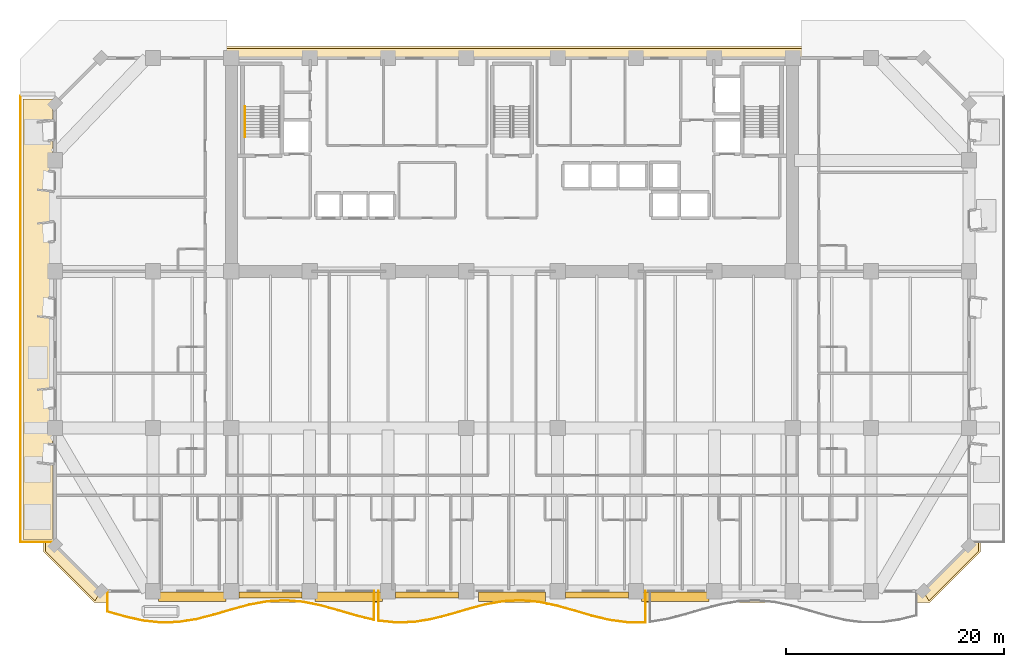
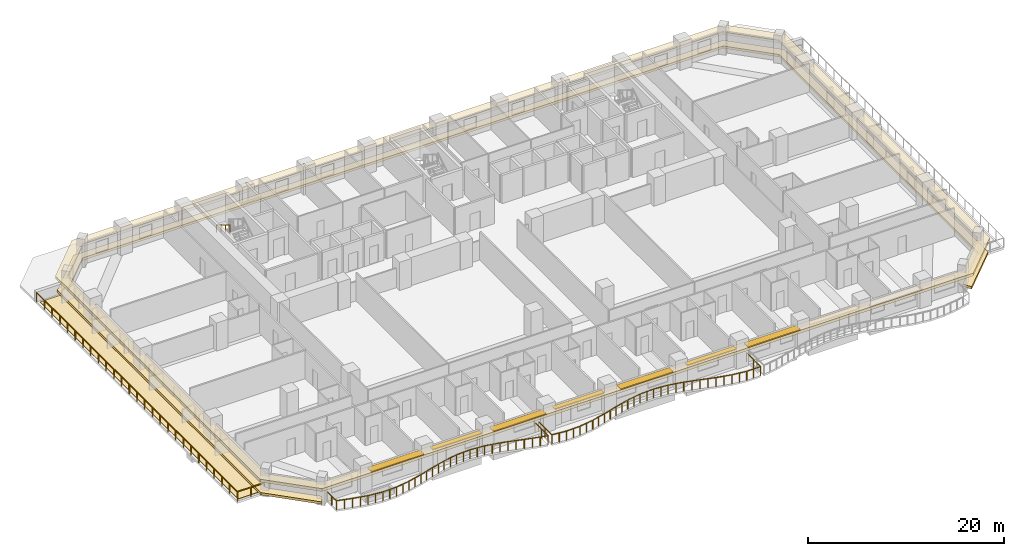
# One storey, part 14 of 17: 7 shading devices, 4 railings, 3 coverings.
"""IFC4 building model written with IfcOpenShell, lengths in metres."""

from ifc_helpers import new_model, si_unit, direction, frame, origin, origin_2d, place, context, subcontext, project, spatial, polyline, rectangle, outline, extrude, material, layer, layer_set, type_object, element, save


model = new_model("IFC4")

# Units and contexts
model_context = context("Model", 3, precision=1e-05, world=origin(), true_north=direction((0.0, 1.0)))
body_context = subcontext(model_context, "Body", "Model", "MODEL_VIEW")
ifc_project = project(units=[si_unit("LENGTHUNIT", "METRE"), si_unit("AREAUNIT", "SQUARE_METRE"), si_unit("VOLUMEUNIT", "CUBIC_METRE"), si_unit("PLANEANGLEUNIT", "RADIAN"), si_unit("MASSUNIT", "GRAM", prefix="KILO")], contexts=[model_context])

# Site, building, storey
site_placement = place(None, origin())
site = spatial("IfcSite", under=ifc_project, at=site_placement, CompositionType="ELEMENT")
building_placement = place(site_placement, origin())
building = spatial("IfcBuilding", under=site, at=building_placement, Name="Kaelvorn Grand Hotel", CompositionType="ELEMENT")
storey_placement = place(building_placement, frame((0.0, 0.0, 31.39990234375)))
storey = spatial("IfcBuildingStorey", under=building, at=storey_placement, Name="L05", CompositionType="ELEMENT", Elevation=31.39990234375)

# Coverings
ifc_material_1 = material(Name="Precast concrete C45/55", Category="concrete")
ifc_layer_1 = layer(ifc_material_1, 0.260009765625)
ifc_layer_set_1 = layer_set([ifc_layer_1], Name="Precast concrete C45/55")
covering_type_1 = type_object("IfcCoveringType", Name="COV-BAND-STREAMLINE-HEAD", PredefinedType="CLADDING", material=ifc_layer_set_1)
covering_1_placement = place(storey_placement, frame((0.0, 0.0, 2.18017578125)))
element("IfcCovering", 1, at=covering_1_placement, inside=storey, type_object=covering_type_1, Name="L05 Streamline Moderne Wraparound Horizontal Eyebrow Band", PredefinedType="CLADDING", context=body_context, shape_type="SweptSolid", body=[
    extrude(outline(polyline([(3.590087890625, -1.050048828125), (80.409912109375, -1.050048828125), (85.050048828125, 3.590087890625), (85.050048828125, 45.409912109375), (80.409912109375, 50.050048828125), (3.590087890625, 50.050048828125), (-1.050048828125, 45.409912109375), (-1.050048828125, 3.590087890625), (3.590087890625, -1.050048828125)]), holes=[polyline([(4.219970703125, 0.030029296875), (79.780029296875, 0.030029296875), (83.969970703125, 4.219970703125), (83.969970703125, 44.780029296875), (79.780029296875, 48.969970703125), (4.219970703125, 48.969970703125), (0.030029296875, 44.780029296875), (0.030029296875, 4.219970703125), (4.219970703125, 0.030029296875)])]), origin(), (0.0, 0.0, 1.0), 0.35986328125),
])
ifc_layer_2 = layer(ifc_material_1, 0.219970703125)
ifc_layer_set_2 = layer_set([ifc_layer_2], Name="Precast concrete C45/55")
covering_type_2 = type_object("IfcCoveringType", Name="COV-BAND-STREAMLINE-SILL", PredefinedType="CLADDING", material=ifc_layer_set_2)
covering_2_placement = place(storey_placement, frame((0.0, 0.0, 0.4501953125)))
element("IfcCovering", 2, at=covering_2_placement, inside=storey, type_object=covering_type_2, Name="L05 Streamline Moderne Wraparound Horizontal Sill Spandrel Band", PredefinedType="CLADDING", context=body_context, shape_type="SweptSolid", body=[
    extrude(outline(polyline([(80.3154296875, -0.8798828125), (84.8798828125, 3.6845703125), (84.8798828125, 45.3154296875), (80.3154296875, 49.8798828125), (3.6845703125, 49.8798828125), (-0.8798828125, 45.3154296875), (-0.8798828125, 3.6845703125), (3.6845703125, -0.8798828125), (4.217529296875, 0.030029296875), (0.030029296875, 4.217529296875), (0.030029296875, 44.782470703125), (4.217529296875, 48.969970703125), (79.782470703125, 48.969970703125), (83.969970703125, 44.782470703125), (83.969970703125, 4.217529296875), (79.782470703125, 0.030029296875), (80.3154296875, -0.8798828125)])), origin(), (0.0, 0.0, 1.0), 0.2998046875),
])
ifc_material_2 = material(Name="Insulated Elastomeric Waterproofing Roof Membrane")
ifc_layer_3 = layer(ifc_material_2, 0.1201171875)
ifc_layer_set_3 = layer_set([ifc_layer_3], Name="Insulated Elastomeric Waterproofing Roof Membrane")
covering_type_3 = type_object("IfcCoveringType", Name="COV-ROOF-MEMBRANE-120", PredefinedType="ROOFING", material=ifc_layer_set_3)
covering_3_placement = place(storey_placement, origin())
element("IfcCovering", 3, at=covering_3_placement, inside=storey, type_object=covering_type_3, Name="L05 Setback Terrace Waterproofing Membrane W", PredefinedType="ROOFING", context=body_context, shape_type="SweptSolid", body=[
    extrude(outline(polyline([(-2.949951171875, 4.75), (-0.25, 4.75), (-0.25, 45.25), (-2.949951171875, 45.25), (-2.949951171875, 4.75)])), origin(), (0.0, 0.0, 1.0), 0.06005859375),
])

# Railings
ifc_material_3 = material(Name="Stainless Steel", Category="steel")
railing_type_1 = type_object("IfcRailingType", Name="RL-BALC-1150", PredefinedType="BALUSTRADE", material=ifc_material_3)
railing_1_placement = place(storey_placement, frame((4.800048828125, 0.0, 0.0)))
element("IfcRailing", 4, at=railing_1_placement, inside=storey, type_object=railing_type_1, Name="L05 Scalloped Wave Balcony Balustrade GR1-1", PredefinedType="BALUSTRADE", context=body_context, shape_type="SweptSolid", body=[
    extrude(rectangle(XDim=0.048095703125, YDim=0.048095703125, at=origin_2d()), frame((0.0, 0.0, 1.1259765625), z_axis=(0.0, -1.0, 0.0), x_axis=(1.0, 0.0, 0.0)), (0.0, 0.0, 1.0), 1.875),
    extrude(rectangle(XDim=0.048095703125, YDim=0.048095703125, at=origin_2d()), frame((0.0, -1.875, 1.1259765625), z_axis=(0.961182099659, -0.275914789916, 0.0), x_axis=(0.275914789916, 0.961182099659, 0.0)), (0.0, 0.0, 1.0), 1.70166015625),
    extrude(rectangle(XDim=0.048095703125, YDim=0.048095703125, at=origin_2d()), frame((1.635498046875, -2.344482421875, 1.1259765625), z_axis=(0.975960285226, -0.21794843808, 0.0), x_axis=(0.21794843808, 0.975960285226, 0.0)), (0.0, 0.0, 1.0), 1.67578125),
    extrude(rectangle(XDim=0.048095703125, YDim=0.048095703125, at=origin_2d()), frame((3.27099609375, -2.709716796875, 1.1259765625), z_axis=(0.994020469758, -0.109193890409, 0.0), x_axis=(0.109193890409, 0.994020469758, 0.0)), (0.0, 0.0, 1.0), 1.6455078125),
    extrude(rectangle(XDim=0.048095703125, YDim=0.048095703125, at=origin_2d()), frame((4.90673828125, -2.889404296875, 1.1259765625), z_axis=(0.999614765722, 0.02775464195, 0.0), x_axis=(-0.02775464195, 0.999614765722, 0.0)), (0.0, 0.0, 1.0), 1.63623046875),
    extrude(rectangle(XDim=0.048095703125, YDim=0.048095703125, at=origin_2d()), frame((6.542236328125, -2.843994140625, 1.1259765625), z_axis=(0.987528788289, 0.157438534989, 0.0), x_axis=(-0.157438534989, 0.987528788289, 0.0)), (0.0, 0.0, 1.0), 1.65625),
    extrude(rectangle(XDim=0.048095703125, YDim=0.048095703125, at=origin_2d()), frame((8.177734375, -2.583251953125, 1.1259765625), z_axis=(0.968861629416, 0.247602792888, 0.0), x_axis=(-0.247602792888, 0.968861629416, 0.0)), (0.0, 0.0, 1.0), 1.68798828125),
    extrude(rectangle(XDim=0.048095703125, YDim=0.048095703125, at=origin_2d()), frame((9.813232421875, -2.165283203125, 1.1259765625), z_axis=(0.959105197492, 0.283049854522, 0.0), x_axis=(-0.283049854522, 0.959105197492, 0.0)), (0.0, 0.0, 1.0), 1.705322265625),
    extrude(rectangle(XDim=0.048095703125, YDim=0.048095703125, at=origin_2d()), frame((11.44873046875, -1.6826171875, 1.1259765625), z_axis=(0.965718666242, 0.25959094297, 0.0), x_axis=(-0.25959094297, 0.965718666242, 0.0)), (0.0, 0.0, 1.0), 1.69384765625),
    extrude(rectangle(XDim=0.048095703125, YDim=0.048095703125, at=origin_2d()), frame((13.08447265625, -1.242919921875, 1.1259765625), z_axis=(0.983662506195, 0.180022426122, 0.0), x_axis=(-0.180022426122, 0.983662506195, 0.0)), (0.0, 0.0, 1.0), 1.66259765625),
    extrude(rectangle(XDim=0.048095703125, YDim=0.048095703125, at=origin_2d()), frame((14.719970703125, -0.943603515625, 1.1259765625), z_axis=(0.998403431973, 0.056485281492, 0.0), x_axis=(-0.056485281492, 0.998403431973, 0.0)), (0.0, 0.0, 1.0), 1.63818359375),
    extrude(rectangle(XDim=0.048095703125, YDim=0.048095703125, at=origin_2d()), frame((16.35546875, -0.85107421875, 1.1259765625), z_axis=(0.996610094372, -0.082269798804, 0.0), x_axis=(0.082269798804, 0.996610094372, 0.0)), (0.0, 0.0, 1.0), 1.64111328125),
    extrude(rectangle(XDim=0.048095703125, YDim=0.048095703125, at=origin_2d()), frame((17.990966796875, -0.986083984375, 1.1259765625), z_axis=(0.979985536223, -0.199068703701, 0.0), x_axis=(0.199068703701, 0.979985536223, 0.0)), (0.0, 0.0, 1.0), 1.669189453125),
    extrude(rectangle(XDim=0.048095703125, YDim=0.048095703125, at=origin_2d()), frame((19.626708984375, -1.318359375, 1.1259765625), z_axis=(0.963251690304, -0.268600411627, 0.0), x_axis=(0.268600411627, 0.963251690304, 0.0)), (0.0, 0.0, 1.0), 1.697998046875),
    extrude(rectangle(XDim=0.048095703125, YDim=0.048095703125, at=origin_2d()), frame((21.26220703125, -1.7744140625, 1.1259765625), z_axis=(0.959763780104, -0.280808629498, 0.0), x_axis=(0.280808629498, 0.959763780104, 0.0)), (0.0, 0.0, 1.0), 1.7041015625),
    extrude(rectangle(XDim=0.048095703125, YDim=0.048095703125, at=origin_2d()), frame((22.897705078125, -2.2529296875, 1.1259765625), z_axis=(0.972148369978, -0.234366266236, 0.0), x_axis=(0.234366266236, 0.972148369978, 0.0)), (0.0, 0.0, 1.0), 1.682373046875),
    extrude(rectangle(XDim=0.048095703125, YDim=0.048095703125, at=origin_2d()), frame((24.533203125, -2.647216796875, 1.1259765625), z_axis=(0.0, 1.0, 0.0), x_axis=(-1.0, 0.0, 0.0)), (0.0, 0.0, 1.0), 2.647216796875),
    extrude(rectangle(XDim=0.0419921875, YDim=0.0419921875, at=origin_2d()), origin(), (0.0, 0.0, 1.0), 1.101806640625),
    extrude(rectangle(XDim=0.0419921875, YDim=0.0419921875, at=origin_2d()), frame((0.0, -0.9375, 0.0)), (0.0, 0.0, 1.0), 1.101806640625),
    extrude(rectangle(XDim=0.0419921875, YDim=0.0419921875, at=origin_2d()), frame((0.0, -1.875, 0.0)), (0.0, 0.0, 1.0), 1.101806640625),
    extrude(rectangle(XDim=0.0419921875, YDim=0.0419921875, at=origin_2d()), frame((0.81787109375, -2.10986328125, 0.0)), (0.0, 0.0, 1.0), 1.101806640625),
    extrude(rectangle(XDim=0.0419921875, YDim=0.0419921875, at=origin_2d()), frame((1.635498046875, -2.344482421875, 0.0)), (0.0, 0.0, 1.0), 1.101806640625),
    extrude(rectangle(XDim=0.0419921875, YDim=0.0419921875, at=origin_2d()), frame((2.453125, -2.527099609375, 0.0)), (0.0, 0.0, 1.0), 1.101806640625),
    extrude(rectangle(XDim=0.0419921875, YDim=0.0419921875, at=origin_2d()), frame((3.27099609375, -2.709716796875, 0.0)), (0.0, 0.0, 1.0), 1.101806640625),
    extrude(rectangle(XDim=0.0419921875, YDim=0.0419921875, at=origin_2d()), frame((4.0888671875, -2.799560546875, 0.0)), (0.0, 0.0, 1.0), 1.101806640625),
    extrude(rectangle(XDim=0.0419921875, YDim=0.0419921875, at=origin_2d()), frame((4.90673828125, -2.889404296875, 0.0)), (0.0, 0.0, 1.0), 1.101806640625),
    extrude(rectangle(XDim=0.0419921875, YDim=0.0419921875, at=origin_2d()), frame((5.724609375, -2.86669921875, 0.0)), (0.0, 0.0, 1.0), 1.101806640625),
    extrude(rectangle(XDim=0.0419921875, YDim=0.0419921875, at=origin_2d()), frame((6.542236328125, -2.843994140625, 0.0)), (0.0, 0.0, 1.0), 1.101806640625),
    extrude(rectangle(XDim=0.0419921875, YDim=0.0419921875, at=origin_2d()), frame((7.35986328125, -2.713623046875, 0.0)), (0.0, 0.0, 1.0), 1.101806640625),
    extrude(rectangle(XDim=0.0419921875, YDim=0.0419921875, at=origin_2d()), frame((8.177734375, -2.583251953125, 0.0)), (0.0, 0.0, 1.0), 1.101806640625),
    extrude(rectangle(XDim=0.0419921875, YDim=0.0419921875, at=origin_2d()), frame((8.99560546875, -2.374267578125, 0.0)), (0.0, 0.0, 1.0), 1.101806640625),
    extrude(rectangle(XDim=0.0419921875, YDim=0.0419921875, at=origin_2d()), frame((9.813232421875, -2.165283203125, 0.0)), (0.0, 0.0, 1.0), 1.101806640625),
    extrude(rectangle(XDim=0.0419921875, YDim=0.0419921875, at=origin_2d()), frame((10.630859375, -1.923828125, 0.0)), (0.0, 0.0, 1.0), 1.101806640625),
    extrude(rectangle(XDim=0.0419921875, YDim=0.0419921875, at=origin_2d()), frame((11.44873046875, -1.6826171875, 0.0)), (0.0, 0.0, 1.0), 1.101806640625),
    extrude(rectangle(XDim=0.0419921875, YDim=0.0419921875, at=origin_2d()), frame((12.2666015625, -1.462890625, 0.0)), (0.0, 0.0, 1.0), 1.101806640625),
    extrude(rectangle(XDim=0.0419921875, YDim=0.0419921875, at=origin_2d()), frame((13.08447265625, -1.242919921875, 0.0)), (0.0, 0.0, 1.0), 1.101806640625),
    extrude(rectangle(XDim=0.0419921875, YDim=0.0419921875, at=origin_2d()), frame((13.90234375, -1.09326171875, 0.0)), (0.0, 0.0, 1.0), 1.101806640625),
    extrude(rectangle(XDim=0.0419921875, YDim=0.0419921875, at=origin_2d()), frame((14.719970703125, -0.943603515625, 0.0)), (0.0, 0.0, 1.0), 1.101806640625),
    extrude(rectangle(XDim=0.0419921875, YDim=0.0419921875, at=origin_2d()), frame((15.53759765625, -0.8974609375, 0.0)), (0.0, 0.0, 1.0), 1.101806640625),
    extrude(rectangle(XDim=0.0419921875, YDim=0.0419921875, at=origin_2d()), frame((16.35546875, -0.85107421875, 0.0)), (0.0, 0.0, 1.0), 1.101806640625),
    extrude(rectangle(XDim=0.0419921875, YDim=0.0419921875, at=origin_2d()), frame((17.17333984375, -0.91845703125, 0.0)), (0.0, 0.0, 1.0), 1.101806640625),
    extrude(rectangle(XDim=0.0419921875, YDim=0.0419921875, at=origin_2d()), frame((17.990966796875, -0.986083984375, 0.0)), (0.0, 0.0, 1.0), 1.101806640625),
    extrude(rectangle(XDim=0.0419921875, YDim=0.0419921875, at=origin_2d()), frame((18.808837890625, -1.15234375, 0.0)), (0.0, 0.0, 1.0), 1.101806640625),
    extrude(rectangle(XDim=0.0419921875, YDim=0.0419921875, at=origin_2d()), frame((19.626708984375, -1.318359375, 0.0)), (0.0, 0.0, 1.0), 1.101806640625),
    extrude(rectangle(XDim=0.0419921875, YDim=0.0419921875, at=origin_2d()), frame((20.4443359375, -1.54638671875, 0.0)), (0.0, 0.0, 1.0), 1.101806640625),
    extrude(rectangle(XDim=0.0419921875, YDim=0.0419921875, at=origin_2d()), frame((21.26220703125, -1.7744140625, 0.0)), (0.0, 0.0, 1.0), 1.101806640625),
    extrude(rectangle(XDim=0.0419921875, YDim=0.0419921875, at=origin_2d()), frame((22.080078125, -2.013671875, 0.0)), (0.0, 0.0, 1.0), 1.101806640625),
    extrude(rectangle(XDim=0.0419921875, YDim=0.0419921875, at=origin_2d()), frame((22.897705078125, -2.2529296875, 0.0)), (0.0, 0.0, 1.0), 1.101806640625),
    extrude(rectangle(XDim=0.0419921875, YDim=0.0419921875, at=origin_2d()), frame((23.71533203125, -2.4501953125, 0.0)), (0.0, 0.0, 1.0), 1.101806640625),
    extrude(rectangle(XDim=0.0419921875, YDim=0.0419921875, at=origin_2d()), frame((24.533203125, -2.647216796875, 0.0)), (0.0, 0.0, 1.0), 1.101806640625),
    extrude(rectangle(XDim=0.0419921875, YDim=0.0419921875, at=origin_2d()), frame((24.533203125, -1.32373046875, 0.0)), (0.0, 0.0, 1.0), 1.101806640625),
    extrude(rectangle(XDim=0.0419921875, YDim=0.0419921875, at=origin_2d()), frame((24.533203125, 0.0, 0.0)), (0.0, 0.0, 1.0), 1.101806640625),
])
railing_2_placement = place(storey_placement, frame((29.7333984375, 0.0, 0.0)))
element("IfcRailing", 5, at=railing_2_placement, inside=storey, type_object=railing_type_1, Name="L05 Scalloped Wave Balcony Balustrade GR1-2", PredefinedType="BALUSTRADE", context=body_context, shape_type="SweptSolid", body=[
    extrude(rectangle(XDim=0.048095703125, YDim=0.048095703125, at=origin_2d()), frame((0.0, 0.0, 1.1259765625), z_axis=(0.0, -1.0, 0.0), x_axis=(1.0, 0.0, 0.0)), (0.0, 0.0, 1.0), 2.72021484375),
    extrude(rectangle(XDim=0.048095703125, YDim=0.048095703125, at=origin_2d()), frame((0.0, -2.72021484375, 1.1259765625), z_axis=(0.994538755279, -0.104367927297, 0.0), x_axis=(0.104367927297, 0.994538755279, 0.0)), (0.0, 0.0, 1.0), 1.64453125),
    extrude(rectangle(XDim=0.048095703125, YDim=0.048095703125, at=origin_2d()), frame((1.635498046875, -2.891845703125, 1.1259765625), z_axis=(0.999451346104, 0.033121092527, 0.0), x_axis=(-0.033121092527, 0.999451346104, 0.0)), (0.0, 0.0, 1.0), 1.636474609375),
    extrude(rectangle(XDim=0.048095703125, YDim=0.048095703125, at=origin_2d()), frame((3.27099609375, -2.837646484375, 1.1259765625), z_axis=(0.986832291042, 0.161746806324, 0.0), x_axis=(-0.161746806324, 0.986832291042, 0.0)), (0.0, 0.0, 1.0), 1.6572265625),
    extrude(rectangle(XDim=0.048095703125, YDim=0.048095703125, at=origin_2d()), frame((4.906494140625, -2.569580078125, 1.1259765625), z_axis=(0.968243477418, 0.250009136707, 0.0), x_axis=(-0.250009136707, 0.968243477418, 0.0)), (0.0, 0.0, 1.0), 1.689453125),
    extrude(rectangle(XDim=0.048095703125, YDim=0.048095703125, at=origin_2d()), frame((6.542236328125, -2.147216796875, 1.1259765625), z_axis=(0.959105197492, 0.283049854522, 0.0), x_axis=(-0.283049854522, 0.959105197492, 0.0)), (0.0, 0.0, 1.0), 1.705322265625),
    extrude(rectangle(XDim=0.048095703125, YDim=0.048095703125, at=origin_2d()), frame((8.177734375, -1.66455078125, 1.1259765625), z_axis=(0.966249302034, 0.257608785406, 0.0), x_axis=(-0.257608785406, 0.966249302034, 0.0)), (0.0, 0.0, 1.0), 1.692626953125),
    extrude(rectangle(XDim=0.048095703125, YDim=0.048095703125, at=origin_2d()), frame((9.813232421875, -1.228515625, 1.1259765625), z_axis=(0.984383042767, 0.176039839563, 0.0), x_axis=(-0.176039839563, 0.984383042767, 0.0)), (0.0, 0.0, 1.0), 1.661376953125),
    extrude(rectangle(XDim=0.048095703125, YDim=0.048095703125, at=origin_2d()), frame((11.44873046875, -0.93603515625, 1.1259765625), z_axis=(0.998684533852, 0.051275743231, 0.0), x_axis=(-0.051275743231, 0.998684533852, 0.0)), (0.0, 0.0, 1.0), 1.637939453125),
    extrude(rectangle(XDim=0.048095703125, YDim=0.048095703125, at=origin_2d()), frame((13.08447265625, -0.85205078125, 1.1259765625), z_axis=(0.996182895251, -0.087290544785, 0.0), x_axis=(0.087290544785, 0.996182895251, 0.0)), (0.0, 0.0, 1.0), 1.641845703125),
    extrude(rectangle(XDim=0.048095703125, YDim=0.048095703125, at=origin_2d()), frame((14.719970703125, -0.995361328125, 1.1259765625), z_axis=(0.979231407671, -0.202745777346, 0.0), x_axis=(0.202745777346, 0.979231407671, 0.0)), (0.0, 0.0, 1.0), 1.670166015625),
    extrude(rectangle(XDim=0.048095703125, YDim=0.048095703125, at=origin_2d()), frame((16.35546875, -1.333984375, 1.1259765625), z_axis=(0.962804134231, -0.270200294425, 0.0), x_axis=(0.270200294425, 0.962804134231, 0.0)), (0.0, 0.0, 1.0), 1.69873046875),
    extrude(rectangle(XDim=0.048095703125, YDim=0.048095703125, at=origin_2d()), frame((17.990966796875, -1.79296875, 1.1259765625), z_axis=(0.960006418895, -0.279977991421, 0.0), x_axis=(0.279977991421, 0.960006418895, 0.0)), (0.0, 0.0, 1.0), 1.703857421875),
    extrude(rectangle(XDim=0.048095703125, YDim=0.048095703125, at=origin_2d()), frame((19.626708984375, -2.27001953125, 1.1259765625), z_axis=(0.972806214685, -0.231620527306, 0.0), x_axis=(0.231620527306, 0.972806214685, 0.0)), (0.0, 0.0, 1.0), 1.68115234375),
    extrude(rectangle(XDim=0.048095703125, YDim=0.048095703125, at=origin_2d()), frame((21.26220703125, -2.659423828125, 1.1259765625), z_axis=(0.991462857149, -0.130389427847, 0.0), x_axis=(0.130389427847, 0.991462857149, 0.0)), (0.0, 0.0, 1.0), 1.649658203125),
    extrude(rectangle(XDim=0.048095703125, YDim=0.048095703125, at=origin_2d()), frame((22.897705078125, -2.87451171875, 1.1259765625), z_axis=(0.99999126505, 0.004179691808, 0.0), x_axis=(-0.004179691808, 0.99999126505, 0.0)), (0.0, 0.0, 1.0), 1.635498046875),
    extrude(rectangle(XDim=0.048095703125, YDim=0.048095703125, at=origin_2d()), frame((24.533203125, -2.86767578125, 1.1259765625), z_axis=(0.0, 1.0, 0.0), x_axis=(-1.0, 0.0, 0.0)), (0.0, 0.0, 1.0), 2.86767578125),
    extrude(rectangle(XDim=0.0419921875, YDim=0.0419921875, at=origin_2d()), origin(), (0.0, 0.0, 1.0), 1.101806640625),
    extrude(rectangle(XDim=0.0419921875, YDim=0.0419921875, at=origin_2d()), frame((0.0, -1.360107421875, 0.0)), (0.0, 0.0, 1.0), 1.101806640625),
    extrude(rectangle(XDim=0.0419921875, YDim=0.0419921875, at=origin_2d()), frame((0.0, -2.72021484375, 0.0)), (0.0, 0.0, 1.0), 1.101806640625),
    extrude(rectangle(XDim=0.0419921875, YDim=0.0419921875, at=origin_2d()), frame((0.81787109375, -2.80615234375, 0.0)), (0.0, 0.0, 1.0), 1.101806640625),
    extrude(rectangle(XDim=0.0419921875, YDim=0.0419921875, at=origin_2d()), frame((1.635498046875, -2.891845703125, 0.0)), (0.0, 0.0, 1.0), 1.101806640625),
    extrude(rectangle(XDim=0.0419921875, YDim=0.0419921875, at=origin_2d()), frame((2.453125, -2.86474609375, 0.0)), (0.0, 0.0, 1.0), 1.101806640625),
    extrude(rectangle(XDim=0.0419921875, YDim=0.0419921875, at=origin_2d()), frame((3.27099609375, -2.837646484375, 0.0)), (0.0, 0.0, 1.0), 1.101806640625),
    extrude(rectangle(XDim=0.0419921875, YDim=0.0419921875, at=origin_2d()), frame((4.0888671875, -2.70361328125, 0.0)), (0.0, 0.0, 1.0), 1.101806640625),
    extrude(rectangle(XDim=0.0419921875, YDim=0.0419921875, at=origin_2d()), frame((4.906494140625, -2.569580078125, 0.0)), (0.0, 0.0, 1.0), 1.101806640625),
    extrude(rectangle(XDim=0.0419921875, YDim=0.0419921875, at=origin_2d()), frame((5.724365234375, -2.3583984375, 0.0)), (0.0, 0.0, 1.0), 1.101806640625),
    extrude(rectangle(XDim=0.0419921875, YDim=0.0419921875, at=origin_2d()), frame((6.542236328125, -2.147216796875, 0.0)), (0.0, 0.0, 1.0), 1.101806640625),
    extrude(rectangle(XDim=0.0419921875, YDim=0.0419921875, at=origin_2d()), frame((7.35986328125, -1.90576171875, 0.0)), (0.0, 0.0, 1.0), 1.101806640625),
    extrude(rectangle(XDim=0.0419921875, YDim=0.0419921875, at=origin_2d()), frame((8.177734375, -1.66455078125, 0.0)), (0.0, 0.0, 1.0), 1.101806640625),
    extrude(rectangle(XDim=0.0419921875, YDim=0.0419921875, at=origin_2d()), frame((8.99560546875, -1.446533203125, 0.0)), (0.0, 0.0, 1.0), 1.101806640625),
    extrude(rectangle(XDim=0.0419921875, YDim=0.0419921875, at=origin_2d()), frame((9.813232421875, -1.228515625, 0.0)), (0.0, 0.0, 1.0), 1.101806640625),
    extrude(rectangle(XDim=0.0419921875, YDim=0.0419921875, at=origin_2d()), frame((10.630859375, -1.082275390625, 0.0)), (0.0, 0.0, 1.0), 1.101806640625),
    extrude(rectangle(XDim=0.0419921875, YDim=0.0419921875, at=origin_2d()), frame((11.44873046875, -0.93603515625, 0.0)), (0.0, 0.0, 1.0), 1.101806640625),
    extrude(rectangle(XDim=0.0419921875, YDim=0.0419921875, at=origin_2d()), frame((12.2666015625, -0.89404296875, 0.0)), (0.0, 0.0, 1.0), 1.101806640625),
    extrude(rectangle(XDim=0.0419921875, YDim=0.0419921875, at=origin_2d()), frame((13.08447265625, -0.85205078125, 0.0)), (0.0, 0.0, 1.0), 1.101806640625),
    extrude(rectangle(XDim=0.0419921875, YDim=0.0419921875, at=origin_2d()), frame((13.90234375, -0.923828125, 0.0)), (0.0, 0.0, 1.0), 1.101806640625),
    extrude(rectangle(XDim=0.0419921875, YDim=0.0419921875, at=origin_2d()), frame((14.719970703125, -0.995361328125, 0.0)), (0.0, 0.0, 1.0), 1.101806640625),
    extrude(rectangle(XDim=0.0419921875, YDim=0.0419921875, at=origin_2d()), frame((15.53759765625, -1.16455078125, 0.0)), (0.0, 0.0, 1.0), 1.101806640625),
    extrude(rectangle(XDim=0.0419921875, YDim=0.0419921875, at=origin_2d()), frame((16.35546875, -1.333984375, 0.0)), (0.0, 0.0, 1.0), 1.101806640625),
    extrude(rectangle(XDim=0.0419921875, YDim=0.0419921875, at=origin_2d()), frame((17.17333984375, -1.5634765625, 0.0)), (0.0, 0.0, 1.0), 1.101806640625),
    extrude(rectangle(XDim=0.0419921875, YDim=0.0419921875, at=origin_2d()), frame((17.990966796875, -1.79296875, 0.0)), (0.0, 0.0, 1.0), 1.101806640625),
    extrude(rectangle(XDim=0.0419921875, YDim=0.0419921875, at=origin_2d()), frame((18.808837890625, -2.031494140625, 0.0)), (0.0, 0.0, 1.0), 1.101806640625),
    extrude(rectangle(XDim=0.0419921875, YDim=0.0419921875, at=origin_2d()), frame((19.626708984375, -2.27001953125, 0.0)), (0.0, 0.0, 1.0), 1.101806640625),
    extrude(rectangle(XDim=0.0419921875, YDim=0.0419921875, at=origin_2d()), frame((20.4443359375, -2.46484375, 0.0)), (0.0, 0.0, 1.0), 1.101806640625),
    extrude(rectangle(XDim=0.0419921875, YDim=0.0419921875, at=origin_2d()), frame((21.26220703125, -2.659423828125, 0.0)), (0.0, 0.0, 1.0), 1.101806640625),
    extrude(rectangle(XDim=0.0419921875, YDim=0.0419921875, at=origin_2d()), frame((22.080078125, -2.76708984375, 0.0)), (0.0, 0.0, 1.0), 1.101806640625),
    extrude(rectangle(XDim=0.0419921875, YDim=0.0419921875, at=origin_2d()), frame((22.897705078125, -2.87451171875, 0.0)), (0.0, 0.0, 1.0), 1.101806640625),
    extrude(rectangle(XDim=0.0419921875, YDim=0.0419921875, at=origin_2d()), frame((23.71533203125, -2.87109375, 0.0)), (0.0, 0.0, 1.0), 1.101806640625),
    extrude(rectangle(XDim=0.0419921875, YDim=0.0419921875, at=origin_2d()), frame((24.533203125, -2.86767578125, 0.0)), (0.0, 0.0, 1.0), 1.101806640625),
    extrude(rectangle(XDim=0.0419921875, YDim=0.0419921875, at=origin_2d()), frame((24.533203125, -1.433837890625, 0.0)), (0.0, 0.0, 1.0), 1.101806640625),
    extrude(rectangle(XDim=0.0419921875, YDim=0.0419921875, at=origin_2d()), frame((24.533203125, 0.0, 0.0)), (0.0, 0.0, 1.0), 1.101806640625),
])
railing_type_2 = type_object("IfcRailingType", Name="RL-HANDRAIL-900", PredefinedType="HANDRAIL", material=ifc_material_3)
railing_3_placement = place(storey_placement, frame((17.449951171875, 44.56005859375, 2.045654296875)))
element("IfcRailing", 6, at=railing_3_placement, inside=storey, type_object=railing_type_2, Name="L05 ST1 stair handrail 2", PredefinedType="HANDRAIL", context=body_context, shape_type="SweptSolid", body=[
    extrude(rectangle(XDim=0.048095703125, YDim=0.048095703125, at=origin_2d()), frame((0.0, 0.0, 0.8759765625), z_axis=(0.0, -0.854202870247, 0.519939858505), x_axis=(1.0, 0.0, 0.0)), (0.0, 0.0, 1.0), 3.278076171875),
    extrude(rectangle(XDim=0.0419921875, YDim=0.0419921875, at=origin_2d()), origin(), (0.0, 0.0, 1.0), 0.851806640625),
    extrude(rectangle(XDim=0.0419921875, YDim=0.0419921875, at=origin_2d()), frame((0.0, -0.933349609375, 0.568115234375)), (0.0, 0.0, 1.0), 0.851806640625),
    extrude(rectangle(XDim=0.0419921875, YDim=0.0419921875, at=origin_2d()), frame((0.0, -1.86669921875, 1.13623046875)), (0.0, 0.0, 1.0), 0.851806640625),
    extrude(rectangle(XDim=0.0419921875, YDim=0.0419921875, at=origin_2d()), frame((0.0, -2.800048828125, 1.704345703125)), (0.0, 0.0, 1.0), 0.851806640625),
])
railing_type_3 = type_object("IfcRailingType", Name="RL-OBS-1200", PredefinedType="BALUSTRADE", material=ifc_material_3)
railing_4_placement = place(storey_placement, frame((0.0, 4.5, 0.0)))
element("IfcRailing", 7, at=railing_4_placement, inside=storey, type_object=railing_type_3, Name="L05 Setback Sky Terrace Balustrade W", PredefinedType="BALUSTRADE", context=body_context, shape_type="SweptSolid", body=[
    extrude(rectangle(XDim=0.048095703125, YDim=0.048095703125, at=origin_2d()), frame((0.0, 0.0, 1.17578125), z_axis=(-1.0, 0.0, 0.0), x_axis=(0.0, -1.0, 0.0)), (0.0, 0.0, 1.0), 3.199951171875),
    extrude(rectangle(XDim=0.048095703125, YDim=0.048095703125, at=origin_2d()), frame((-3.199951171875, 0.0, 1.17578125), z_axis=(0.0, 1.0, 0.0), x_axis=(-1.0, 0.0, 0.0)), (0.0, 0.0, 1.0), 41.0),
    extrude(rectangle(XDim=0.0419921875, YDim=0.0419921875, at=origin_2d()), origin(), (0.0, 0.0, 1.0), 1.15185546875),
    extrude(rectangle(XDim=0.0419921875, YDim=0.0419921875, at=origin_2d()), frame((-1.60009765625, 0.0, 0.0)), (0.0, 0.0, 1.0), 1.15185546875),
    extrude(rectangle(XDim=0.0419921875, YDim=0.0419921875, at=origin_2d()), frame((-3.199951171875, 0.0, 0.0)), (0.0, 0.0, 1.0), 1.15185546875),
    extrude(rectangle(XDim=0.0419921875, YDim=0.0419921875, at=origin_2d()), frame((-3.199951171875, 1.576904296875, 0.0)), (0.0, 0.0, 1.0), 1.15185546875),
    extrude(rectangle(XDim=0.0419921875, YDim=0.0419921875, at=origin_2d()), frame((-3.199951171875, 3.15380859375, 0.0)), (0.0, 0.0, 1.0), 1.15185546875),
    extrude(rectangle(XDim=0.0419921875, YDim=0.0419921875, at=origin_2d()), frame((-3.199951171875, 4.730712890625, 0.0)), (0.0, 0.0, 1.0), 1.15185546875),
    extrude(rectangle(XDim=0.0419921875, YDim=0.0419921875, at=origin_2d()), frame((-3.199951171875, 6.3076171875, 0.0)), (0.0, 0.0, 1.0), 1.15185546875),
    extrude(rectangle(XDim=0.0419921875, YDim=0.0419921875, at=origin_2d()), frame((-3.199951171875, 7.884521484375, 0.0)), (0.0, 0.0, 1.0), 1.15185546875),
    extrude(rectangle(XDim=0.0419921875, YDim=0.0419921875, at=origin_2d()), frame((-3.199951171875, 9.46142578125, 0.0)), (0.0, 0.0, 1.0), 1.15185546875),
    extrude(rectangle(XDim=0.0419921875, YDim=0.0419921875, at=origin_2d()), frame((-3.199951171875, 11.03857421875, 0.0)), (0.0, 0.0, 1.0), 1.15185546875),
    extrude(rectangle(XDim=0.0419921875, YDim=0.0419921875, at=origin_2d()), frame((-3.199951171875, 12.615478515625, 0.0)), (0.0, 0.0, 1.0), 1.15185546875),
    extrude(rectangle(XDim=0.0419921875, YDim=0.0419921875, at=origin_2d()), frame((-3.199951171875, 14.1923828125, 0.0)), (0.0, 0.0, 1.0), 1.15185546875),
    extrude(rectangle(XDim=0.0419921875, YDim=0.0419921875, at=origin_2d()), frame((-3.199951171875, 15.769287109375, 0.0)), (0.0, 0.0, 1.0), 1.15185546875),
    extrude(rectangle(XDim=0.0419921875, YDim=0.0419921875, at=origin_2d()), frame((-3.199951171875, 17.34619140625, 0.0)), (0.0, 0.0, 1.0), 1.15185546875),
    extrude(rectangle(XDim=0.0419921875, YDim=0.0419921875, at=origin_2d()), frame((-3.199951171875, 18.923095703125, 0.0)), (0.0, 0.0, 1.0), 1.15185546875),
    extrude(rectangle(XDim=0.0419921875, YDim=0.0419921875, at=origin_2d()), frame((-3.199951171875, 20.5, 0.0)), (0.0, 0.0, 1.0), 1.15185546875),
    extrude(rectangle(XDim=0.0419921875, YDim=0.0419921875, at=origin_2d()), frame((-3.199951171875, 22.076904296875, 0.0)), (0.0, 0.0, 1.0), 1.15185546875),
    extrude(rectangle(XDim=0.0419921875, YDim=0.0419921875, at=origin_2d()), frame((-3.199951171875, 23.65380859375, 0.0)), (0.0, 0.0, 1.0), 1.15185546875),
    extrude(rectangle(XDim=0.0419921875, YDim=0.0419921875, at=origin_2d()), frame((-3.199951171875, 25.230712890625, 0.0)), (0.0, 0.0, 1.0), 1.15185546875),
    extrude(rectangle(XDim=0.0419921875, YDim=0.0419921875, at=origin_2d()), frame((-3.199951171875, 26.8076171875, 0.0)), (0.0, 0.0, 1.0), 1.15185546875),
    extrude(rectangle(XDim=0.0419921875, YDim=0.0419921875, at=origin_2d()), frame((-3.199951171875, 28.384521484375, 0.0)), (0.0, 0.0, 1.0), 1.15185546875),
    extrude(rectangle(XDim=0.0419921875, YDim=0.0419921875, at=origin_2d()), frame((-3.199951171875, 29.96142578125, 0.0)), (0.0, 0.0, 1.0), 1.15185546875),
    extrude(rectangle(XDim=0.0419921875, YDim=0.0419921875, at=origin_2d()), frame((-3.199951171875, 31.53857421875, 0.0)), (0.0, 0.0, 1.0), 1.15185546875),
    extrude(rectangle(XDim=0.0419921875, YDim=0.0419921875, at=origin_2d()), frame((-3.199951171875, 33.115478515625, 0.0)), (0.0, 0.0, 1.0), 1.15185546875),
    extrude(rectangle(XDim=0.0419921875, YDim=0.0419921875, at=origin_2d()), frame((-3.199951171875, 34.6923828125, 0.0)), (0.0, 0.0, 1.0), 1.15185546875),
    extrude(rectangle(XDim=0.0419921875, YDim=0.0419921875, at=origin_2d()), frame((-3.199951171875, 36.269287109375, 0.0)), (0.0, 0.0, 1.0), 1.15185546875),
    extrude(rectangle(XDim=0.0419921875, YDim=0.0419921875, at=origin_2d()), frame((-3.199951171875, 37.84619140625, 0.0)), (0.0, 0.0, 1.0), 1.15185546875),
    extrude(rectangle(XDim=0.0419921875, YDim=0.0419921875, at=origin_2d()), frame((-3.199951171875, 39.423095703125, 0.0)), (0.0, 0.0, 1.0), 1.15185546875),
    extrude(rectangle(XDim=0.0419921875, YDim=0.0419921875, at=origin_2d()), frame((-3.199951171875, 41.0, 0.0)), (0.0, 0.0, 1.0), 1.15185546875),
])

# Shading devices
ifc_layer_4 = layer(ifc_material_1, 0.1201171875)
ifc_layer_set_4 = layer_set([ifc_layer_4], Name="Precast concrete C45/55")
shading_device_type_1 = type_object("IfcShadingDeviceType", Name="SHD-SUNSHADE-550", PredefinedType="USERDEFINED", material=ifc_layer_set_4)
for number, where, z_axis, x_axis, name in (
    (8, (19.800048828125, -0.364990234375, 2.419921875), (0.0, 0.0, 1.0), (1.0, 0.0, 0.0), "L05 Horizontal Concrete Sunshade Band SS-03"),
    (9, (34.199951171875, -0.364990234375, 2.419921875), (0.0, 0.0, 1.0), (1.0, 0.0, 0.0), "L05 Horizontal Concrete Sunshade Band SS-05"),
    (10, (49.800048828125, -0.364990234375, 2.419921875), (0.0, 0.0, 1.0), (1.0, 0.0, 0.0), "L05 Horizontal Concrete Sunshade Band SS-07"),
):
    element("IfcShadingDevice", number, at=place(storey_placement, frame(where, z_axis=z_axis, x_axis=x_axis)), inside=storey, type_object=shading_device_type_1, Name=name, ObjectType="SUNSHADE", PredefinedType="USERDEFINED", context=body_context, shape_type="SweptSolid", body=[
        extrude(rectangle(XDim=5.800048828125, YDim=0.550048828125, at=origin_2d()), origin(), (0.0, 0.0, 1.0), 0.1201171875),
    ])
ifc_layer_5 = layer(ifc_material_1, 0.139892578125)
ifc_layer_set_5 = layer_set([ifc_layer_5], Name="Precast concrete C45/55")
shading_device_type_2 = type_object("IfcShadingDeviceType", Name="SHD-SUNSHADE-850", PredefinedType="USERDEFINED", material=ifc_layer_set_5)
for number, where, z_axis, x_axis, name in (
    (11, (12.60009765625, -0.514892578125, 2.41015625), (0.0, 0.0, 1.0), (1.0, 0.0, 0.0), "L05 Horizontal Concrete Sunshade Band SS-02"),
    (12, (27.0, -0.514892578125, 2.41015625), (0.0, 0.0, 1.0), (1.0, 0.0, 0.0), "L05 Horizontal Concrete Sunshade Band SS-04"),
    (13, (42.0, -0.514892578125, 2.41015625), (0.0, 0.0, 1.0), (1.0, 0.0, 0.0), "L05 Horizontal Concrete Sunshade Band SS-06"),
    (14, (57.0, -0.514892578125, 2.41015625), (0.0, 0.0, 1.0), (1.0, 0.0, 0.0), "L05 Horizontal Concrete Sunshade Band SS-08"),
):
    element("IfcShadingDevice", number, at=place(storey_placement, frame(where, z_axis=z_axis, x_axis=x_axis)), inside=storey, type_object=shading_device_type_2, Name=name, ObjectType="SUNSHADE", PredefinedType="USERDEFINED", context=body_context, shape_type="SweptSolid", body=[
        extrude(rectangle(XDim=6.199951171875, YDim=0.85009765625, at=origin_2d()), origin(), (0.0, 0.0, 1.0), 0.139892578125),
    ])

save(model, "model.ifc")
